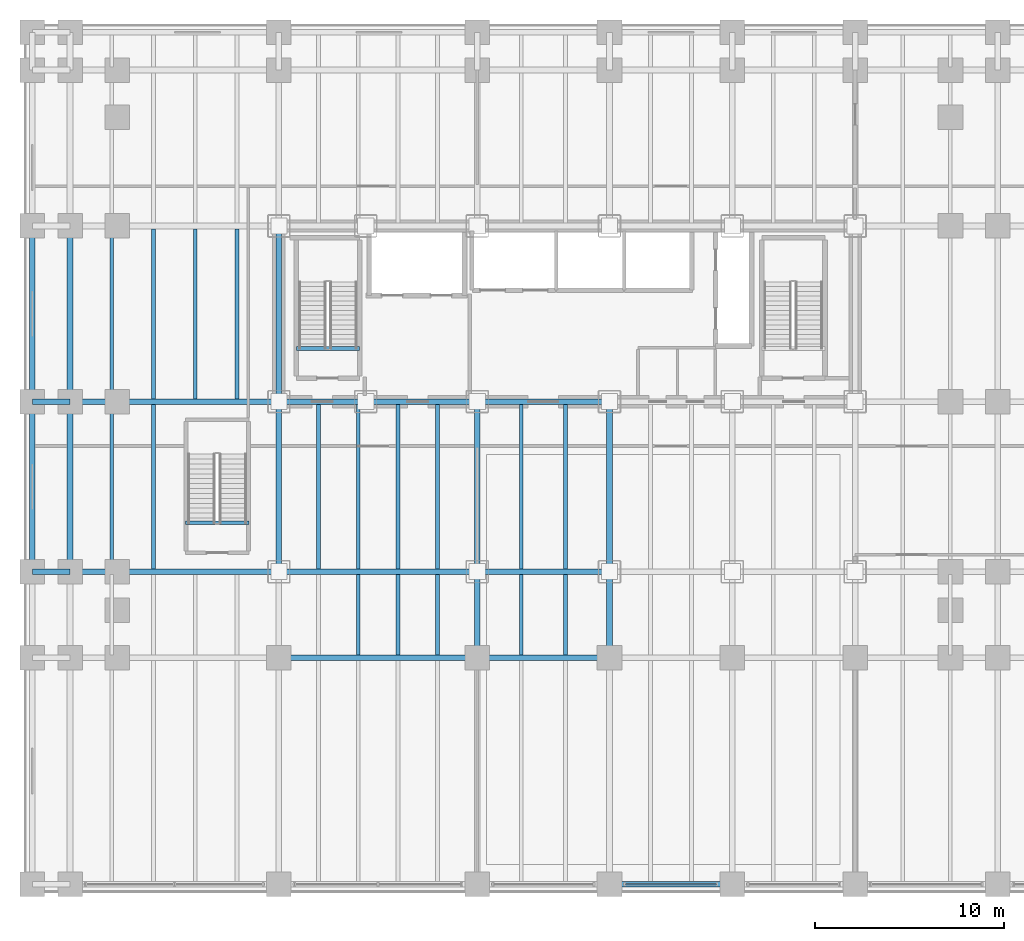
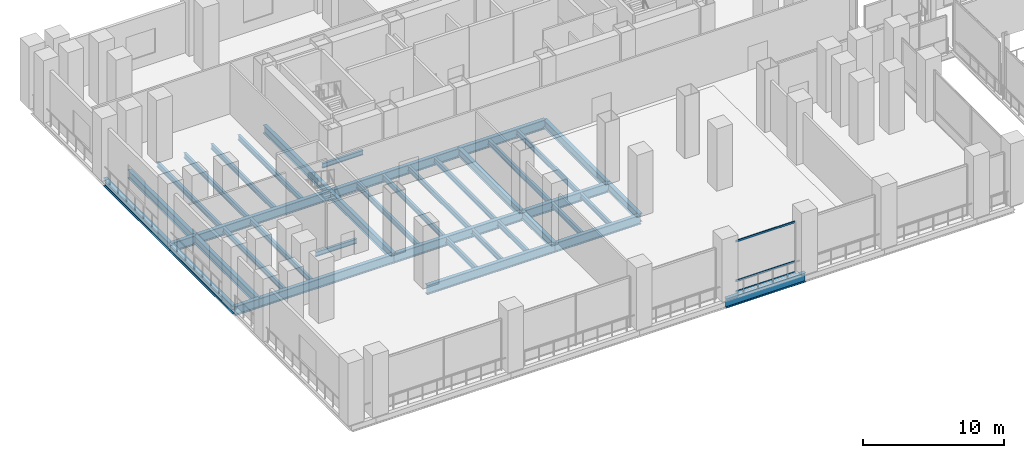
# One storey, part 8 of 31: 40 beams, 3 members, 1 element without a shape of its own.
"""IFC4 building model written with IfcOpenShell, lengths in metres."""

from ifc_helpers import new_model, si_unit, direction, frame, origin, origin_2d, place, context, subcontext, project, spatial, hollow_rectangle, i_section, extrude, material, material_profile, profile_set, type_object, element, aggregate, save


model = new_model("IFC4")

# Units and contexts
model_context = context("Model", 3, precision=1e-05, world=origin(), true_north=direction((0.0, 1.0)))
body_context = subcontext(model_context, "Body", "Model", "MODEL_VIEW")
ifc_project = project(units=[si_unit("LENGTHUNIT", "METRE"), si_unit("AREAUNIT", "SQUARE_METRE"), si_unit("VOLUMEUNIT", "CUBIC_METRE"), si_unit("PLANEANGLEUNIT", "RADIAN"), si_unit("MASSUNIT", "GRAM", prefix="KILO")], contexts=[model_context])

# Site, building, storey
site_placement = place(None, origin())
site = spatial("IfcSite", under=ifc_project, at=site_placement, CompositionType="ELEMENT")
building_placement = place(site_placement, origin())
building = spatial("IfcBuilding", under=site, at=building_placement, Name="Noeulbin Bourse Tower", CompositionType="ELEMENT")
storey_placement = place(building_placement, frame((0.0, 0.0, 11.199951171875)))
storey = spatial("IfcBuildingStorey", under=building, at=storey_placement, Name="L03", CompositionType="ELEMENT", Elevation=11.199951171875)

# Beams
ifc_material_1 = material(Name="Steel S355", Category="steel")
ifc_material_profile_1 = material_profile(ifc_material_1, i_section(OverallWidth=0.300048828125, OverallDepth=0.699951171875, WebThickness=0.012939453125, FlangeThickness=0.02392578125, FilletRadius=0.02392578125, at=origin_2d()), Name="H-700x300x13x24", Category="LoadBearing")
ifc_profile_set_1 = profile_set([ifc_material_profile_1], Name="Steel S355")
beam_type_1 = type_object("IfcBeamType", Name="BM-GRD-700", PredefinedType="USERDEFINED", material=ifc_profile_set_1)
beam_1_placement = place(storey_placement, frame((0.449951171875, 20.0, -0.599853515625), z_axis=(0.0, 1.0, 0.0), x_axis=(-1.0, 0.0, 0.0)))
element("IfcBeam", 1, at=beam_1_placement, inside=storey, type_object=beam_type_1, Name="Podium Primary Girder NS L03-059", ObjectType="GIRDER", PredefinedType="USERDEFINED", context=body_context, shape_type="SweptSolid", body=[
    extrude(i_section(OverallWidth=0.300048828125, OverallDepth=0.699951171875, WebThickness=0.012939453125, FlangeThickness=0.02392578125, FilletRadius=0.02392578125, at=origin_2d()), origin(), (0.0, 0.0, 1.0), 9.0),
])
beam_2_placement = place(storey_placement, frame((0.449951171875, 29.0, -0.599853515625), z_axis=(0.0, 1.0, 0.0), x_axis=(-1.0, 0.0, 0.0)))
element("IfcBeam", 2, at=beam_2_placement, inside=storey, type_object=beam_type_1, Name="Podium Primary Girder NS L03-060", ObjectType="GIRDER", PredefinedType="USERDEFINED", context=body_context, shape_type="SweptSolid", body=[
    extrude(i_section(OverallWidth=0.300048828125, OverallDepth=0.699951171875, WebThickness=0.012939453125, FlangeThickness=0.02392578125, FilletRadius=0.02392578125, at=origin_2d()), origin(), (0.0, 0.0, 1.0), 9.300048828125),
])
beam_3_placement = place(storey_placement, frame((2.449951171875, 20.0, -0.599853515625), z_axis=(0.0, 1.0, 0.0), x_axis=(-1.0, 0.0, 0.0)))
element("IfcBeam", 3, at=beam_3_placement, inside=storey, type_object=beam_type_1, Name="Podium Primary Girder NS L03-065", ObjectType="GIRDER", PredefinedType="USERDEFINED", context=body_context, shape_type="SweptSolid", body=[
    extrude(i_section(OverallWidth=0.300048828125, OverallDepth=0.699951171875, WebThickness=0.012939453125, FlangeThickness=0.02392578125, FilletRadius=0.02392578125, at=origin_2d()), origin(), (0.0, 0.0, 1.0), 9.0),
])
beam_4_placement = place(storey_placement, frame((2.449951171875, 29.0, -0.599853515625), z_axis=(0.0, 1.0, 0.0), x_axis=(-1.0, 0.0, 0.0)))
element("IfcBeam", 4, at=beam_4_placement, inside=storey, type_object=beam_type_1, Name="Podium Primary Girder NS L03-066", ObjectType="GIRDER", PredefinedType="USERDEFINED", context=body_context, shape_type="SweptSolid", body=[
    extrude(i_section(OverallWidth=0.300048828125, OverallDepth=0.699951171875, WebThickness=0.012939453125, FlangeThickness=0.02392578125, FilletRadius=0.02392578125, at=origin_2d()), origin(), (0.0, 0.0, 1.0), 9.300048828125),
])
beam_5_placement = place(storey_placement, frame((13.5, 20.0, -0.599853515625), z_axis=(0.0, 1.0, 0.0), x_axis=(-1.0, 0.0, 0.0)))
element("IfcBeam", 5, at=beam_5_placement, inside=storey, type_object=beam_type_1, Name="Podium Primary Girder NS L03-071", ObjectType="GIRDER", PredefinedType="USERDEFINED", context=body_context, shape_type="SweptSolid", body=[
    extrude(i_section(OverallWidth=0.300048828125, OverallDepth=0.699951171875, WebThickness=0.012939453125, FlangeThickness=0.02392578125, FilletRadius=0.02392578125, at=origin_2d()), origin(), (0.0, 0.0, 1.0), 9.0),
])
beam_6_placement = place(storey_placement, frame((13.5, 29.0, -0.599853515625), z_axis=(0.0, 1.0, 0.0), x_axis=(-1.0, 0.0, 0.0)))
element("IfcBeam", 6, at=beam_6_placement, inside=storey, type_object=beam_type_1, Name="Podium Primary Girder NS L03-072", ObjectType="GIRDER", PredefinedType="USERDEFINED", context=body_context, shape_type="SweptSolid", body=[
    extrude(i_section(OverallWidth=0.300048828125, OverallDepth=0.699951171875, WebThickness=0.012939453125, FlangeThickness=0.02392578125, FilletRadius=0.02392578125, at=origin_2d()), origin(), (0.0, 0.0, 1.0), 9.300048828125),
])
beam_7_placement = place(storey_placement, frame((24.0, 15.449951171875, -0.599853515625), z_axis=(0.0, 1.0, 0.0), x_axis=(-1.0, 0.0, 0.0)))
element("IfcBeam", 7, at=beam_7_placement, inside=storey, type_object=beam_type_1, Name="Podium Primary Girder NS L03-076", ObjectType="GIRDER", PredefinedType="USERDEFINED", context=body_context, shape_type="SweptSolid", body=[
    extrude(i_section(OverallWidth=0.300048828125, OverallDepth=0.699951171875, WebThickness=0.012939453125, FlangeThickness=0.02392578125, FilletRadius=0.02392578125, at=origin_2d()), origin(), (0.0, 0.0, 1.0), 4.550048828125),
])
beam_8_placement = place(storey_placement, frame((24.0, 20.0, -0.599853515625), z_axis=(0.0, 1.0, 0.0), x_axis=(-1.0, 0.0, 0.0)))
element("IfcBeam", 8, at=beam_8_placement, inside=storey, type_object=beam_type_1, Name="Podium Primary Girder NS L03-077", ObjectType="GIRDER", PredefinedType="USERDEFINED", context=body_context, shape_type="SweptSolid", body=[
    extrude(i_section(OverallWidth=0.300048828125, OverallDepth=0.699951171875, WebThickness=0.012939453125, FlangeThickness=0.02392578125, FilletRadius=0.02392578125, at=origin_2d()), origin(), (0.0, 0.0, 1.0), 9.0),
])
beam_9_placement = place(storey_placement, frame((31.0, 15.449951171875, -0.599853515625), z_axis=(0.0, 1.0, 0.0), x_axis=(-1.0, 0.0, 0.0)))
element("IfcBeam", 9, at=beam_9_placement, inside=storey, type_object=beam_type_1, Name="Podium Primary Girder NS L03-081", ObjectType="GIRDER", PredefinedType="USERDEFINED", context=body_context, shape_type="SweptSolid", body=[
    extrude(i_section(OverallWidth=0.300048828125, OverallDepth=0.699951171875, WebThickness=0.012939453125, FlangeThickness=0.02392578125, FilletRadius=0.02392578125, at=origin_2d()), origin(), (0.0, 0.0, 1.0), 4.550048828125),
])
beam_10_placement = place(storey_placement, frame((31.0, 20.0, -0.599853515625), z_axis=(0.0, 1.0, 0.0), x_axis=(-1.0, 0.0, 0.0)))
element("IfcBeam", 10, at=beam_10_placement, inside=storey, type_object=beam_type_1, Name="Podium Primary Girder NS L03-082", ObjectType="GIRDER", PredefinedType="USERDEFINED", context=body_context, shape_type="SweptSolid", body=[
    extrude(i_section(OverallWidth=0.300048828125, OverallDepth=0.699951171875, WebThickness=0.012939453125, FlangeThickness=0.02392578125, FilletRadius=0.02392578125, at=origin_2d()), origin(), (0.0, 0.0, 1.0), 9.0),
])
ifc_material_profile_2 = material_profile(ifc_material_1, i_section(OverallWidth=0.300048828125, OverallDepth=0.800048828125, WebThickness=0.013916015625, FlangeThickness=0.02587890625, FilletRadius=0.02587890625, at=origin_2d()), Name="H-800x300x14x26", Category="LoadBearing")
ifc_profile_set_2 = profile_set([ifc_material_profile_2], Name="Steel S355")
beam_type_2 = type_object("IfcBeamType", Name="BM-GRD-800", PredefinedType="USERDEFINED", material=ifc_profile_set_2)
beam_11_placement = place(storey_placement, frame((31.0, 3.449951171875, -0.64990234375), z_axis=(1.0, 0.0, 0.0), x_axis=(0.0, 1.0, 0.0)))
element("IfcBeam", 11, at=beam_11_placement, inside=storey, type_object=beam_type_2, Name="Podium Primary Girder EW L03-005", ObjectType="GIRDER", PredefinedType="USERDEFINED", context=body_context, shape_type="SweptSolid", body=[
    extrude(i_section(OverallWidth=0.300048828125, OverallDepth=0.800048828125, WebThickness=0.013916015625, FlangeThickness=0.02587890625, FilletRadius=0.02587890625, at=origin_2d()), origin(), (0.0, 0.0, 1.0), 6.5),
])
beam_12_placement = place(storey_placement, frame((13.5, 15.449951171875, -0.64990234375), z_axis=(1.0, 0.0, 0.0), x_axis=(0.0, 1.0, 0.0)))
element("IfcBeam", 12, at=beam_12_placement, inside=storey, type_object=beam_type_2, Name="Podium Primary Girder EW L03-011", ObjectType="GIRDER", PredefinedType="USERDEFINED", context=body_context, shape_type="SweptSolid", body=[
    extrude(i_section(OverallWidth=0.300048828125, OverallDepth=0.800048828125, WebThickness=0.013916015625, FlangeThickness=0.02587890625, FilletRadius=0.02587890625, at=origin_2d()), origin(), (0.0, 0.0, 1.0), 10.5),
])
beam_13_placement = place(storey_placement, frame((24.0, 15.449951171875, -0.64990234375), z_axis=(1.0, 0.0, 0.0), x_axis=(0.0, 1.0, 0.0)))
element("IfcBeam", 13, at=beam_13_placement, inside=storey, type_object=beam_type_2, Name="Podium Primary Girder EW L03-012", ObjectType="GIRDER", PredefinedType="USERDEFINED", context=body_context, shape_type="SweptSolid", body=[
    extrude(i_section(OverallWidth=0.300048828125, OverallDepth=0.800048828125, WebThickness=0.013916015625, FlangeThickness=0.02587890625, FilletRadius=0.02587890625, at=origin_2d()), origin(), (0.0, 0.0, 1.0), 7.0),
])
beam_14_placement = place(storey_placement, frame((0.449951171875, 20.0, -0.64990234375), z_axis=(1.0, 0.0, 0.0), x_axis=(0.0, 1.0, 0.0)))
element("IfcBeam", 14, at=beam_14_placement, inside=storey, type_object=beam_type_2, Name="Podium Primary Girder EW L03-017", ObjectType="GIRDER", PredefinedType="USERDEFINED", context=body_context, shape_type="SweptSolid", body=[
    extrude(i_section(OverallWidth=0.300048828125, OverallDepth=0.800048828125, WebThickness=0.013916015625, FlangeThickness=0.02587890625, FilletRadius=0.02587890625, at=origin_2d()), origin(), (0.0, 0.0, 1.0), 2.0),
])
beam_15_placement = place(storey_placement, frame((2.449951171875, 20.0, -0.64990234375), z_axis=(1.0, 0.0, 0.0), x_axis=(0.0, 1.0, 0.0)))
element("IfcBeam", 15, at=beam_15_placement, inside=storey, type_object=beam_type_2, Name="Podium Primary Girder EW L03-018", ObjectType="GIRDER", PredefinedType="USERDEFINED", context=body_context, shape_type="SweptSolid", body=[
    extrude(i_section(OverallWidth=0.300048828125, OverallDepth=0.800048828125, WebThickness=0.013916015625, FlangeThickness=0.02587890625, FilletRadius=0.02587890625, at=origin_2d()), origin(), (0.0, 0.0, 1.0), 11.050048828125),
])
beam_16_placement = place(storey_placement, frame((13.5, 20.0, -0.64990234375), z_axis=(1.0, 0.0, 0.0), x_axis=(0.0, 1.0, 0.0)))
element("IfcBeam", 16, at=beam_16_placement, inside=storey, type_object=beam_type_2, Name="Podium Primary Girder EW L03-019", ObjectType="GIRDER", PredefinedType="USERDEFINED", context=body_context, shape_type="SweptSolid", body=[
    extrude(i_section(OverallWidth=0.300048828125, OverallDepth=0.800048828125, WebThickness=0.013916015625, FlangeThickness=0.02587890625, FilletRadius=0.02587890625, at=origin_2d()), origin(), (0.0, 0.0, 1.0), 10.5),
])
beam_17_placement = place(storey_placement, frame((24.0, 20.0, -0.64990234375), z_axis=(1.0, 0.0, 0.0), x_axis=(0.0, 1.0, 0.0)))
element("IfcBeam", 17, at=beam_17_placement, inside=storey, type_object=beam_type_2, Name="Podium Primary Girder EW L03-020", ObjectType="GIRDER", PredefinedType="USERDEFINED", context=body_context, shape_type="SweptSolid", body=[
    extrude(i_section(OverallWidth=0.300048828125, OverallDepth=0.800048828125, WebThickness=0.013916015625, FlangeThickness=0.02587890625, FilletRadius=0.02587890625, at=origin_2d()), origin(), (0.0, 0.0, 1.0), 7.0),
])
beam_18_placement = place(storey_placement, frame((0.449951171875, 29.0, -0.64990234375), z_axis=(1.0, 0.0, 0.0), x_axis=(0.0, 1.0, 0.0)))
element("IfcBeam", 18, at=beam_18_placement, inside=storey, type_object=beam_type_2, Name="Podium Primary Girder EW L03-025", ObjectType="GIRDER", PredefinedType="USERDEFINED", context=body_context, shape_type="SweptSolid", body=[
    extrude(i_section(OverallWidth=0.300048828125, OverallDepth=0.800048828125, WebThickness=0.013916015625, FlangeThickness=0.02587890625, FilletRadius=0.02587890625, at=origin_2d()), origin(), (0.0, 0.0, 1.0), 2.0),
])
beam_19_placement = place(storey_placement, frame((2.449951171875, 29.0, -0.64990234375), z_axis=(1.0, 0.0, 0.0), x_axis=(0.0, 1.0, 0.0)))
element("IfcBeam", 19, at=beam_19_placement, inside=storey, type_object=beam_type_2, Name="Podium Primary Girder EW L03-026", ObjectType="GIRDER", PredefinedType="USERDEFINED", context=body_context, shape_type="SweptSolid", body=[
    extrude(i_section(OverallWidth=0.300048828125, OverallDepth=0.800048828125, WebThickness=0.013916015625, FlangeThickness=0.02587890625, FilletRadius=0.02587890625, at=origin_2d()), origin(), (0.0, 0.0, 1.0), 11.050048828125),
])
beam_20_placement = place(storey_placement, frame((13.5, 29.0, -0.64990234375), z_axis=(1.0, 0.0, 0.0), x_axis=(0.0, 1.0, 0.0)))
element("IfcBeam", 20, at=beam_20_placement, inside=storey, type_object=beam_type_2, Name="Podium Primary Girder EW L03-027", ObjectType="GIRDER", PredefinedType="USERDEFINED", context=body_context, shape_type="SweptSolid", body=[
    extrude(i_section(OverallWidth=0.300048828125, OverallDepth=0.800048828125, WebThickness=0.013916015625, FlangeThickness=0.02587890625, FilletRadius=0.02587890625, at=origin_2d()), origin(), (0.0, 0.0, 1.0), 10.5),
])
beam_21_placement = place(storey_placement, frame((24.0, 29.0, -0.64990234375), z_axis=(1.0, 0.0, 0.0), x_axis=(0.0, 1.0, 0.0)))
element("IfcBeam", 21, at=beam_21_placement, inside=storey, type_object=beam_type_2, Name="Podium Primary Girder EW L03-028", ObjectType="GIRDER", PredefinedType="USERDEFINED", context=body_context, shape_type="SweptSolid", body=[
    extrude(i_section(OverallWidth=0.300048828125, OverallDepth=0.800048828125, WebThickness=0.013916015625, FlangeThickness=0.02587890625, FilletRadius=0.02587890625, at=origin_2d()), origin(), (0.0, 0.0, 1.0), 7.0),
])
ifc_material_profile_3 = material_profile(ifc_material_1, i_section(OverallWidth=0.199951171875, OverallDepth=0.39990234375, WebThickness=0.008056640625, FlangeThickness=0.012939453125, FilletRadius=0.01611328125, at=origin_2d()), Name="H-400x200x8x13", Category="LoadBearing")
ifc_profile_set_3 = profile_set([ifc_material_profile_3], Name="Steel S355")
beam_type_3 = type_object("IfcBeamType", Name="BM-SEC-400", PredefinedType="BEAM", material=ifc_profile_set_3)
beam_22_placement = place(storey_placement, frame((14.429931640625, 31.820068359375, -0.199951171875), z_axis=(1.0, 0.0, 0.0), x_axis=(0.0, 1.0, 0.0)))
element("IfcBeam", 22, at=beam_22_placement, inside=storey, type_object=beam_type_3, Name="Stair Threshold Trimmer Beam ST1-L03", PredefinedType="BEAM", context=body_context, shape_type="SweptSolid", body=[
    extrude(i_section(OverallWidth=0.199951171875, OverallDepth=0.39990234375, WebThickness=0.008056640625, FlangeThickness=0.012939453125, FilletRadius=0.01611328125, at=origin_2d()), origin(), (0.0, 0.0, 1.0), 3.340087890625),
])
beam_23_placement = place(storey_placement, frame((8.56005859375, 22.590087890625, -0.199951171875), z_axis=(1.0, 0.0, 0.0), x_axis=(0.0, 1.0, 0.0)))
element("IfcBeam", 23, at=beam_23_placement, inside=storey, type_object=beam_type_3, Name="Stair Threshold Trimmer Beam STP1-L03", PredefinedType="BEAM", context=body_context, shape_type="SweptSolid", body=[
    extrude(i_section(OverallWidth=0.199951171875, OverallDepth=0.39990234375, WebThickness=0.008056640625, FlangeThickness=0.012939453125, FilletRadius=0.01611328125, at=origin_2d()), origin(), (0.0, 0.0, 1.0), 3.35986328125),
])
ifc_material_profile_4 = material_profile(ifc_material_1, i_section(OverallWidth=0.199951171875, OverallDepth=0.449951171875, WebThickness=0.009033203125, FlangeThickness=0.013916015625, FilletRadius=0.01806640625, at=origin_2d()), Name="H-450x200x9x14", Category="LoadBearing")
ifc_profile_set_4 = profile_set([ifc_material_profile_4], Name="Steel S355")
beam_type_4 = type_object("IfcBeamType", Name="BM-SEC-450", PredefinedType="BEAM", material=ifc_profile_set_4)
beam_24_placement = place(storey_placement, frame((4.659912109375, 20.14990234375, -0.474853515625), z_axis=(0.0, 1.0, 0.0), x_axis=(-1.0, 0.0, 0.0)))
element("IfcBeam", 24, at=beam_24_placement, inside=storey, type_object=beam_type_4, Name="Podium Secondary Beam L03-003", PredefinedType="BEAM", context=body_context, shape_type="SweptSolid", body=[
    extrude(i_section(OverallWidth=0.199951171875, OverallDepth=0.449951171875, WebThickness=0.009033203125, FlangeThickness=0.013916015625, FilletRadius=0.01806640625, at=origin_2d()), origin(), (0.0, 0.0, 1.0), 8.7001953125),
])
beam_25_placement = place(storey_placement, frame((4.659912109375, 29.14990234375, -0.474853515625), z_axis=(0.0, 1.0, 0.0), x_axis=(-1.0, 0.0, 0.0)))
element("IfcBeam", 25, at=beam_25_placement, inside=storey, type_object=beam_type_4, Name="Podium Secondary Beam L03-004", PredefinedType="BEAM", context=body_context, shape_type="SweptSolid", body=[
    extrude(i_section(OverallWidth=0.199951171875, OverallDepth=0.449951171875, WebThickness=0.009033203125, FlangeThickness=0.013916015625, FilletRadius=0.01806640625, at=origin_2d()), origin(), (0.0, 0.0, 1.0), 9.0),
])
beam_26_placement = place(storey_placement, frame((6.8701171875, 20.14990234375, -0.474853515625), z_axis=(0.0, 1.0, 0.0), x_axis=(-1.0, 0.0, 0.0)))
element("IfcBeam", 26, at=beam_26_placement, inside=storey, type_object=beam_type_4, Name="Podium Secondary Beam L03-009", PredefinedType="BEAM", context=body_context, shape_type="SweptSolid", body=[
    extrude(i_section(OverallWidth=0.199951171875, OverallDepth=0.449951171875, WebThickness=0.009033203125, FlangeThickness=0.013916015625, FilletRadius=0.01806640625, at=origin_2d()), origin(), (0.0, 0.0, 1.0), 8.7001953125),
])
for number, where, z_axis, x_axis, name in (
    (27, (6.8701171875, 29.14990234375, -0.474853515625), (0.0, 1.0, 0.0), (-1.0, 0.0, 0.0), "Podium Secondary Beam L03-010"),
    (28, (9.080078125, 29.14990234375, -0.474853515625), (0.0, 1.0, 0.0), (-1.0, 0.0, 0.0), "Podium Secondary Beam L03-015"),
    (29, (11.2900390625, 29.14990234375, -0.474853515625), (0.0, 1.0, 0.0), (-1.0, 0.0, 0.0), "Podium Secondary Beam L03-020"),
):
    element("IfcBeam", number, at=place(storey_placement, frame(where, z_axis=z_axis, x_axis=x_axis)), inside=storey, type_object=beam_type_4, Name=name, PredefinedType="BEAM", context=body_context, shape_type="SweptSolid", body=[
        extrude(i_section(OverallWidth=0.199951171875, OverallDepth=0.449951171875, WebThickness=0.009033203125, FlangeThickness=0.013916015625, FilletRadius=0.01806640625, at=origin_2d()), origin(), (0.0, 0.0, 1.0), 9.0),
    ])
beam_27_placement = place(storey_placement, frame((15.60009765625, 20.14990234375, -0.474853515625), z_axis=(0.0, 1.0, 0.0), x_axis=(-1.0, 0.0, 0.0)))
element("IfcBeam", 30, at=beam_27_placement, inside=storey, type_object=beam_type_4, Name="Podium Secondary Beam L03-025", PredefinedType="BEAM", context=body_context, shape_type="SweptSolid", body=[
    extrude(i_section(OverallWidth=0.199951171875, OverallDepth=0.449951171875, WebThickness=0.009033203125, FlangeThickness=0.013916015625, FilletRadius=0.01806640625, at=origin_2d()), origin(), (0.0, 0.0, 1.0), 8.7001953125),
])
beam_28_placement = place(storey_placement, frame((17.699951171875, 15.60009765625, -0.474853515625), z_axis=(0.0, 1.0, 0.0), x_axis=(-1.0, 0.0, 0.0)))
element("IfcBeam", 31, at=beam_28_placement, inside=storey, type_object=beam_type_4, Name="Podium Secondary Beam L03-029", PredefinedType="BEAM", context=body_context, shape_type="SweptSolid", body=[
    extrude(i_section(OverallWidth=0.199951171875, OverallDepth=0.449951171875, WebThickness=0.009033203125, FlangeThickness=0.013916015625, FilletRadius=0.01806640625, at=origin_2d()), origin(), (0.0, 0.0, 1.0), 4.25),
])
beam_29_placement = place(storey_placement, frame((17.699951171875, 20.14990234375, -0.474853515625), z_axis=(0.0, 1.0, 0.0), x_axis=(-1.0, 0.0, 0.0)))
element("IfcBeam", 32, at=beam_29_placement, inside=storey, type_object=beam_type_4, Name="Podium Secondary Beam L03-030", PredefinedType="BEAM", context=body_context, shape_type="SweptSolid", body=[
    extrude(i_section(OverallWidth=0.199951171875, OverallDepth=0.449951171875, WebThickness=0.009033203125, FlangeThickness=0.013916015625, FilletRadius=0.01806640625, at=origin_2d()), origin(), (0.0, 0.0, 1.0), 8.7001953125),
])
beam_30_placement = place(storey_placement, frame((19.800048828125, 15.60009765625, -0.474853515625), z_axis=(0.0, 1.0, 0.0), x_axis=(-1.0, 0.0, 0.0)))
element("IfcBeam", 33, at=beam_30_placement, inside=storey, type_object=beam_type_4, Name="Podium Secondary Beam L03-034", PredefinedType="BEAM", context=body_context, shape_type="SweptSolid", body=[
    extrude(i_section(OverallWidth=0.199951171875, OverallDepth=0.449951171875, WebThickness=0.009033203125, FlangeThickness=0.013916015625, FilletRadius=0.01806640625, at=origin_2d()), origin(), (0.0, 0.0, 1.0), 4.25),
])
beam_31_placement = place(storey_placement, frame((19.800048828125, 20.14990234375, -0.474853515625), z_axis=(0.0, 1.0, 0.0), x_axis=(-1.0, 0.0, 0.0)))
element("IfcBeam", 34, at=beam_31_placement, inside=storey, type_object=beam_type_4, Name="Podium Secondary Beam L03-035", PredefinedType="BEAM", context=body_context, shape_type="SweptSolid", body=[
    extrude(i_section(OverallWidth=0.199951171875, OverallDepth=0.449951171875, WebThickness=0.009033203125, FlangeThickness=0.013916015625, FilletRadius=0.01806640625, at=origin_2d()), origin(), (0.0, 0.0, 1.0), 8.7001953125),
])
beam_32_placement = place(storey_placement, frame((21.89990234375, 15.60009765625, -0.474853515625), z_axis=(0.0, 1.0, 0.0), x_axis=(-1.0, 0.0, 0.0)))
element("IfcBeam", 35, at=beam_32_placement, inside=storey, type_object=beam_type_4, Name="Podium Secondary Beam L03-039", PredefinedType="BEAM", context=body_context, shape_type="SweptSolid", body=[
    extrude(i_section(OverallWidth=0.199951171875, OverallDepth=0.449951171875, WebThickness=0.009033203125, FlangeThickness=0.013916015625, FilletRadius=0.01806640625, at=origin_2d()), origin(), (0.0, 0.0, 1.0), 4.25),
])
beam_33_placement = place(storey_placement, frame((21.89990234375, 20.14990234375, -0.474853515625), z_axis=(0.0, 1.0, 0.0), x_axis=(-1.0, 0.0, 0.0)))
element("IfcBeam", 36, at=beam_33_placement, inside=storey, type_object=beam_type_4, Name="Podium Secondary Beam L03-040", PredefinedType="BEAM", context=body_context, shape_type="SweptSolid", body=[
    extrude(i_section(OverallWidth=0.199951171875, OverallDepth=0.449951171875, WebThickness=0.009033203125, FlangeThickness=0.013916015625, FilletRadius=0.01806640625, at=origin_2d()), origin(), (0.0, 0.0, 1.0), 8.7001953125),
])
beam_34_placement = place(storey_placement, frame((26.333251953125, 15.60009765625, -0.474853515625), z_axis=(0.0, 1.0, 0.0), x_axis=(-1.0, 0.0, 0.0)))
element("IfcBeam", 37, at=beam_34_placement, inside=storey, type_object=beam_type_4, Name="Podium Secondary Beam L03-044", PredefinedType="BEAM", context=body_context, shape_type="SweptSolid", body=[
    extrude(i_section(OverallWidth=0.199951171875, OverallDepth=0.449951171875, WebThickness=0.009033203125, FlangeThickness=0.013916015625, FilletRadius=0.01806640625, at=origin_2d()), origin(), (0.0, 0.0, 1.0), 4.25),
])
beam_35_placement = place(storey_placement, frame((26.333251953125, 20.14990234375, -0.474853515625), z_axis=(0.0, 1.0, 0.0), x_axis=(-1.0, 0.0, 0.0)))
element("IfcBeam", 38, at=beam_35_placement, inside=storey, type_object=beam_type_4, Name="Podium Secondary Beam L03-045", PredefinedType="BEAM", context=body_context, shape_type="SweptSolid", body=[
    extrude(i_section(OverallWidth=0.199951171875, OverallDepth=0.449951171875, WebThickness=0.009033203125, FlangeThickness=0.013916015625, FilletRadius=0.01806640625, at=origin_2d()), origin(), (0.0, 0.0, 1.0), 8.7001953125),
])
beam_36_placement = place(storey_placement, frame((28.666748046875, 15.60009765625, -0.474853515625), z_axis=(0.0, 1.0, 0.0), x_axis=(-1.0, 0.0, 0.0)))
element("IfcBeam", 39, at=beam_36_placement, inside=storey, type_object=beam_type_4, Name="Podium Secondary Beam L03-049", PredefinedType="BEAM", context=body_context, shape_type="SweptSolid", body=[
    extrude(i_section(OverallWidth=0.199951171875, OverallDepth=0.449951171875, WebThickness=0.009033203125, FlangeThickness=0.013916015625, FilletRadius=0.01806640625, at=origin_2d()), origin(), (0.0, 0.0, 1.0), 4.25),
])
beam_37_placement = place(storey_placement, frame((28.666748046875, 20.14990234375, -0.474853515625), z_axis=(0.0, 1.0, 0.0), x_axis=(-1.0, 0.0, 0.0)))
element("IfcBeam", 40, at=beam_37_placement, inside=storey, type_object=beam_type_4, Name="Podium Secondary Beam L03-050", PredefinedType="BEAM", context=body_context, shape_type="SweptSolid", body=[
    extrude(i_section(OverallWidth=0.199951171875, OverallDepth=0.449951171875, WebThickness=0.009033203125, FlangeThickness=0.013916015625, FilletRadius=0.01806640625, at=origin_2d()), origin(), (0.0, 0.0, 1.0), 8.7001953125),
])

# Curtain wall, members
ifc_material_2 = material(Name="Laminated Clear Low-E Glass", Category="glass")
curtain_wall_type = type_object("IfcCurtainWallType", Name="CW-SYS-1", PredefinedType="NOTDEFINED", material=ifc_material_2)
curtain_wall_placement = place(storey_placement, origin())
curtain_wall = element("IfcCurtainWall", 41, at=curtain_wall_placement, inside=storey, type_object=curtain_wall_type, Name="Unitised Curtain Wall CW-L03-POD-S-S4", PredefinedType="NOTDEFINED")
ifc_material_3 = material(Name="Anodised Aluminium 6063-T6", Category="aluminium")
ifc_material_profile_5 = material_profile(ifc_material_3, hollow_rectangle(XDim=0.074951171875, YDim=0.159912109375, WallThickness=0.0048828125, InnerFilletRadius=0.00244140625, OuterFilletRadius=0.0048828125, at=origin_2d()), Name="ALU-TRAN-75x160x5", Category="LoadBearing")
ifc_profile_set_5 = profile_set([ifc_material_profile_5], Name="Anodised Aluminium 6063-T6")
member_type = type_object("IfcMemberType", Name="CW-SYS-1-TRN", PredefinedType="USERDEFINED", material=ifc_profile_set_5)
member_1_placement = place(storey_placement, frame((31.8349609375, 3.449951171875, 0.010009765625), z_axis=(1.0, 0.0, 0.0), x_axis=(0.0, 1.0, 0.0)))
member_1 = element("IfcMember", 42, at=member_1_placement, type_object=member_type, Name="Curtain Wall Transom CW-L03-POD-S-S4-T00", ObjectType="TRANSOM", PredefinedType="USERDEFINED", context=body_context, shape_type="SweptSolid", body=[
    extrude(hollow_rectangle(XDim=0.074951171875, YDim=0.159912109375, WallThickness=0.0048828125, InnerFilletRadius=0.00244140625, OuterFilletRadius=0.0048828125, at=origin_2d()), origin(), (0.0, 0.0, 1.0), 4.830078125),
])
member_2_placement = place(storey_placement, frame((31.8349609375, 3.449951171875, 0.949951171875), z_axis=(1.0, 0.0, 0.0), x_axis=(0.0, 1.0, 0.0)))
member_2 = element("IfcMember", 43, at=member_2_placement, type_object=member_type, Name="Curtain Wall Transom CW-L03-POD-S-S4-T01", ObjectType="TRANSOM", PredefinedType="USERDEFINED", context=body_context, shape_type="SweptSolid", body=[
    extrude(hollow_rectangle(XDim=0.074951171875, YDim=0.159912109375, WallThickness=0.0048828125, InnerFilletRadius=0.00244140625, OuterFilletRadius=0.0048828125, at=origin_2d()), origin(), (0.0, 0.0, 1.0), 4.830078125),
])
member_3_placement = place(storey_placement, frame((31.8349609375, 3.449951171875, 4.360107421875), z_axis=(1.0, 0.0, 0.0), x_axis=(0.0, 1.0, 0.0)))
member_3 = element("IfcMember", 44, at=member_3_placement, type_object=member_type, Name="Curtain Wall Transom CW-L03-POD-S-S4-T02", ObjectType="TRANSOM", PredefinedType="USERDEFINED", context=body_context, shape_type="SweptSolid", body=[
    extrude(hollow_rectangle(XDim=0.074951171875, YDim=0.159912109375, WallThickness=0.0048828125, InnerFilletRadius=0.00244140625, OuterFilletRadius=0.0048828125, at=origin_2d()), origin(), (0.0, 0.0, 1.0), 4.830078125),
])
aggregate(curtain_wall, [member_1, member_2, member_3])

save(model, "model.ifc")
